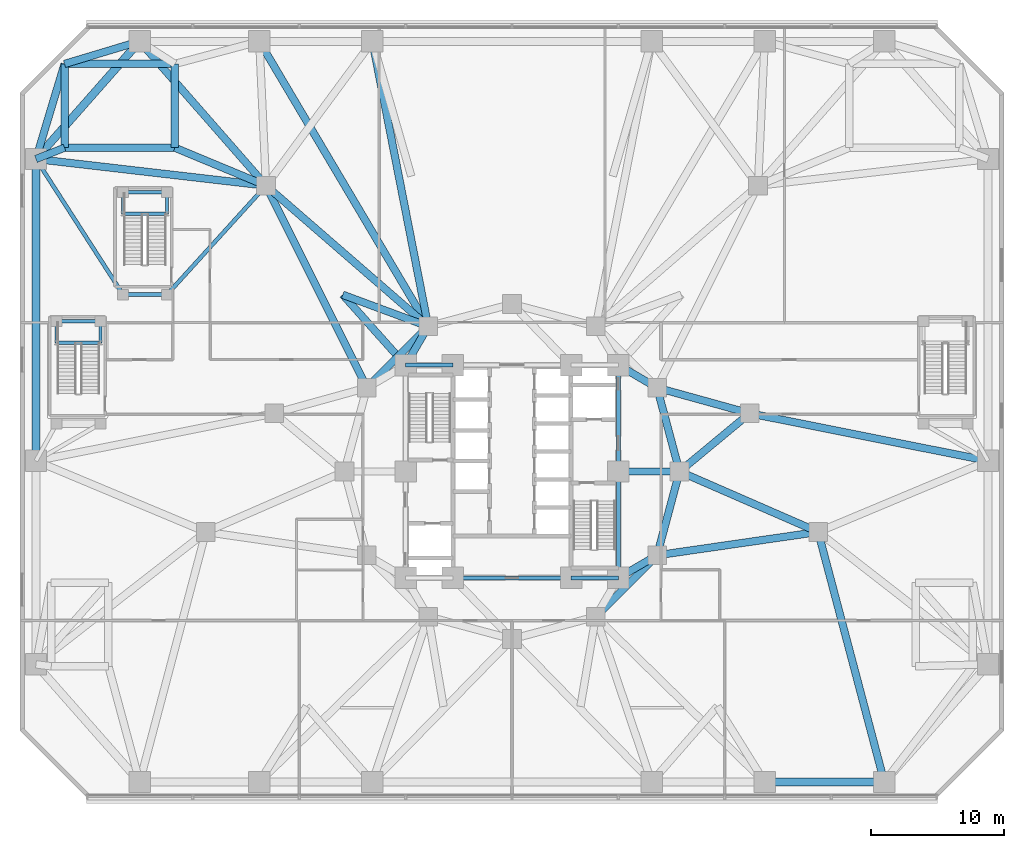
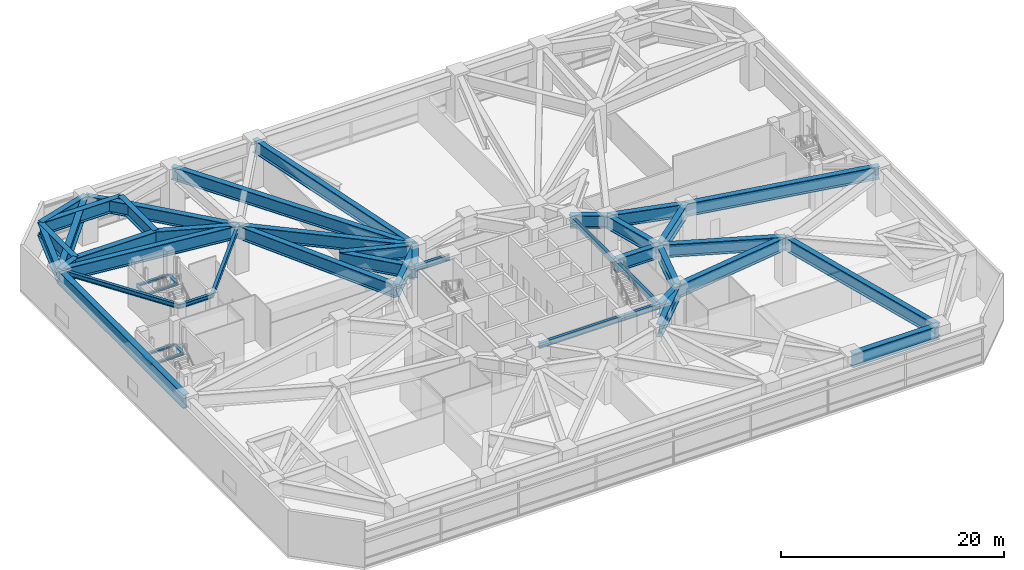
# One storey, part 8 of 27: 49 beams.
"""IFC4 building model written with IfcOpenShell, lengths in metres."""

from ifc_helpers import new_model, si_unit, direction, frame, origin, origin_2d, place, context, subcontext, project, spatial, i_section, extrude, material, material_profile, profile_set, type_object, element, save


model = new_model("IFC4")

# Units and contexts
model_context = context("Model", 3, precision=1e-05, world=origin(), true_north=direction((0.0, 1.0)))
body_context = subcontext(model_context, "Body", "Model", "MODEL_VIEW")
ifc_project = project(units=[si_unit("LENGTHUNIT", "METRE"), si_unit("AREAUNIT", "SQUARE_METRE"), si_unit("VOLUMEUNIT", "CUBIC_METRE"), si_unit("PLANEANGLEUNIT", "RADIAN"), si_unit("MASSUNIT", "GRAM", prefix="KILO")], contexts=[model_context])

# Site, building, storey
site_placement = place(None, origin())
site = spatial("IfcSite", under=ifc_project, at=site_placement, CompositionType="ELEMENT")
building_placement = place(site_placement, origin())
building = spatial("IfcBuilding", under=site, at=building_placement, Name="Terralouvre Media Tower", CompositionType="ELEMENT")
storey_placement = place(building_placement, frame((0.0, 0.0, 20.800048828125)))
storey = spatial("IfcBuildingStorey", under=building, at=storey_placement, Name="L04", CompositionType="ELEMENT", Elevation=20.800048828125)

# Beams
ifc_material_1 = material(Name="Structural steel S355J2", Category="steel")
ifc_material_profile_1 = material_profile(ifc_material_1, i_section(OverallWidth=0.239990234375, OverallDepth=0.239990234375, WebThickness=0.010009765625, FlangeThickness=0.01708984375, at=origin_2d()), Name="HEB 240")
ifc_profile_set_1 = profile_set([ifc_material_profile_1], Name="Structural steel S355J2")
beam_type_1 = type_object("IfcBeamType", Name="Opening Lintel Beam LN-240H (HEB 240)", PredefinedType="LINTEL", material=ifc_profile_set_1)
for number, where, z_axis, x_axis, name in (
    (1, (-34.25, 9.679931640625, 2.280029296875), (0.0, 1.0, 0.0), (-1.0, 0.0, 0.0), "L04 ST-03 Intermediate Landing Support Beam 1W"),
    (2, (-30.949951171875, 9.679931640625, 2.280029296875), (0.0, 1.0, 0.0), (-1.0, 0.0, 0.0), "L04 ST-03 Intermediate Landing Support Beam 1E"),
):
    element("IfcBeam", number, at=place(storey_placement, frame(where, z_axis=z_axis, x_axis=x_axis)), inside=storey, type_object=beam_type_1, Name=name, PredefinedType="LINTEL", context=body_context, shape_type="SweptSolid", body=[
        extrude(i_section(OverallWidth=0.239990234375, OverallDepth=0.239990234375, WebThickness=0.010009765625, FlangeThickness=0.01708984375, at=origin_2d()), origin(), (0.0, 0.0, 1.0), 1.6201171875),
    ])
for number, where, z_axis, x_axis, name in (
    (3, (-34.25, 9.679931640625, 2.280029296875), (1.0, 0.0, 0.0), (0.0, 1.0, 0.0), "L04 ST-03 Intermediate Landing Support Beam 1S"),
    (4, (-34.25, 11.300048828125, 2.280029296875), (1.0, 0.0, 0.0), (0.0, 1.0, 0.0), "L04 ST-03 Intermediate Landing Support Beam 1X"),
):
    element("IfcBeam", number, at=place(storey_placement, frame(where, z_axis=z_axis, x_axis=x_axis)), inside=storey, type_object=beam_type_1, Name=name, PredefinedType="LINTEL", context=body_context, shape_type="SweptSolid", body=[
        extrude(i_section(OverallWidth=0.239990234375, OverallDepth=0.239990234375, WebThickness=0.010009765625, FlangeThickness=0.01708984375, at=origin_2d()), origin(), (0.0, 0.0, 1.0), 3.300048828125),
    ])
for number, where, z_axis, x_axis, name in (
    (5, (-29.25, 19.3798828125, 2.280029296875), (0.0, 1.0, 0.0), (-1.0, 0.0, 0.0), "L04 ST-06 Intermediate Landing Support Beam 1W"),
    (6, (-25.949951171875, 19.3798828125, 2.280029296875), (0.0, 1.0, 0.0), (-1.0, 0.0, 0.0), "L04 ST-06 Intermediate Landing Support Beam 1E"),
):
    element("IfcBeam", number, at=place(storey_placement, frame(where, z_axis=z_axis, x_axis=x_axis)), inside=storey, type_object=beam_type_1, Name=name, PredefinedType="LINTEL", context=body_context, shape_type="SweptSolid", body=[
        extrude(i_section(OverallWidth=0.239990234375, OverallDepth=0.239990234375, WebThickness=0.010009765625, FlangeThickness=0.01708984375, at=origin_2d()), origin(), (0.0, 0.0, 1.0), 1.6201171875),
    ])
for number, where, z_axis, x_axis, name in (
    (7, (-29.25, 19.3798828125, 2.280029296875), (1.0, 0.0, 0.0), (0.0, 1.0, 0.0), "L04 ST-06 Intermediate Landing Support Beam 1S"),
    (8, (-29.25, 21.0, 2.280029296875), (1.0, 0.0, 0.0), (0.0, 1.0, 0.0), "L04 ST-06 Intermediate Landing Support Beam 1X"),
):
    element("IfcBeam", number, at=place(storey_placement, frame(where, z_axis=z_axis, x_axis=x_axis)), inside=storey, type_object=beam_type_1, Name=name, PredefinedType="LINTEL", context=body_context, shape_type="SweptSolid", body=[
        extrude(i_section(OverallWidth=0.239990234375, OverallDepth=0.239990234375, WebThickness=0.010009765625, FlangeThickness=0.01708984375, at=origin_2d()), origin(), (0.0, 0.0, 1.0), 3.300048828125),
    ])
ifc_material_2 = material(Name="Structural steel S355J2", Category="steel")
ifc_material_profile_2 = material_profile(ifc_material_2, i_section(OverallWidth=0.300048828125, OverallDepth=0.449951171875, WebThickness=0.013916015625, FlangeThickness=0.02587890625, at=origin_2d()), Name="HEB 450")
ifc_profile_set_2 = profile_set([ifc_material_profile_2], Name="Structural steel S355J2")
beam_type_2 = type_object("IfcBeamType", Name="Primary Floor Girder B-HEB450 (HEB 450)", PredefinedType="BEAM", material=ifc_profile_set_2)
beam_1_placement = place(storey_placement, frame((-29.25, 13.300048828125, 4.71484375), z_axis=(1.0, 0.0, 0.0), x_axis=(0.0, 1.0, 0.0)))
element("IfcBeam", 9, at=beam_1_placement, inside=storey, type_object=beam_type_2, Name="L04 Framing Beam BM-L04-PVST61", PredefinedType="BEAM", context=body_context, shape_type="SweptSolid", body=[
    extrude(i_section(OverallWidth=0.300048828125, OverallDepth=0.449951171875, WebThickness=0.013916015625, FlangeThickness=0.02587890625, at=origin_2d()), origin(), (0.0, 0.0, 1.0), 3.300048828125),
])
ifc_material_3 = material(Name="Structural steel S355J2", Category="steel")
ifc_material_profile_3 = material_profile(ifc_material_3, i_section(OverallWidth=0.300048828125, OverallDepth=0.5, WebThickness=0.014404296875, FlangeThickness=0.028076171875, at=origin_2d()), Name="HEB 500")
ifc_profile_set_3 = profile_set([ifc_material_profile_3], Name="Structural steel S355J2")
beam_type_3 = type_object("IfcBeamType", Name="Primary Floor Girder B-HEB500 (HEB 500)", PredefinedType="BEAM", material=ifc_profile_set_3)
beam_2_placement = place(storey_placement, frame((-29.25, 13.300048828125, 4.68994140625), z_axis=(-0.540345267359, 0.841443398003, 0.0), x_axis=(-0.841443398003, -0.540345267359, 0.0)))
element("IfcBeam", 10, at=beam_2_placement, inside=storey, type_object=beam_type_3, Name="L04 Framing Beam BM-L04-PVTST61", PredefinedType="BEAM", context=body_context, shape_type="SweptSolid", body=[
    extrude(i_section(OverallWidth=0.300048828125, OverallDepth=0.5, WebThickness=0.014404296875, FlangeThickness=0.028076171875, at=origin_2d()), origin(), (0.0, 0.0, 1.0), 12.1220703125),
])
beam_3_placement = place(storey_placement, frame((-25.949951171875, 13.300048828125, 4.68994140625), z_axis=(0.672447909493, 0.740144451454, 0.0), x_axis=(-0.740144451454, 0.672447909493, 0.0)))
element("IfcBeam", 11, at=beam_3_placement, inside=storey, type_object=beam_type_3, Name="L04 Framing Beam BM-L04-PVTST62", PredefinedType="BEAM", context=body_context, shape_type="SweptSolid", body=[
    extrude(i_section(OverallWidth=0.300048828125, OverallDepth=0.5, WebThickness=0.014404296875, FlangeThickness=0.028076171875, at=origin_2d()), origin(), (0.0, 0.0, 1.0), 11.078857421875),
])
ifc_material_4 = material(Name="Structural steel S460M", Category="steel")
ifc_material_profile_4 = material_profile(ifc_material_4, i_section(OverallWidth=0.300048828125, OverallDepth=0.60009765625, WebThickness=0.015380859375, FlangeThickness=0.030029296875, at=origin_2d()), Name="HEB 600")
ifc_profile_set_4 = profile_set([ifc_material_profile_4], Name="Structural steel S460M")
beam_type_4 = type_object("IfcBeamType", Name="Primary Floor Girder B-HEB600 (HEB 600)", PredefinedType="BEAM", material=ifc_profile_set_4)
beam_4_placement = place(storey_placement, frame((-4.449951171875, -8.0, 4.639892578125), z_axis=(1.0, 0.0, 0.0), x_axis=(0.0, 1.0, 0.0)))
element("IfcBeam", 12, at=beam_4_placement, inside=storey, type_object=beam_type_4, Name="L04 Framing Beam BM-L04-CPR02", PredefinedType="BEAM", context=body_context, shape_type="SweptSolid", body=[
    extrude(i_section(OverallWidth=0.300048828125, OverallDepth=0.60009765625, WebThickness=0.015380859375, FlangeThickness=0.030029296875, at=origin_2d()), origin(), (0.0, 0.0, 1.0), 8.89990234375),
])
beam_5_placement = place(storey_placement, frame((4.449951171875, -8.0, 4.639892578125), z_axis=(1.0, 0.0, 0.0), x_axis=(0.0, 1.0, 0.0)))
element("IfcBeam", 13, at=beam_5_placement, inside=storey, type_object=beam_type_4, Name="L04 Framing Beam BM-L04-CPR03", PredefinedType="BEAM", context=body_context, shape_type="SweptSolid", body=[
    extrude(i_section(OverallWidth=0.300048828125, OverallDepth=0.60009765625, WebThickness=0.015380859375, FlangeThickness=0.030029296875, at=origin_2d()), origin(), (0.0, 0.0, 1.0), 3.550048828125),
])
for number, where, z_axis, x_axis, name in (
    (14, (8.0, -8.0, 4.639892578125), (0.0, 1.0, 0.0), (-1.0, 0.0, 0.0), "L04 Framing Beam BM-L04-CPR04"),
    (15, (8.0, 0.0, 4.639892578125), (0.0, 1.0, 0.0), (-1.0, 0.0, 0.0), "L04 Framing Beam BM-L04-CPR05"),
):
    element("IfcBeam", number, at=place(storey_placement, frame(where, z_axis=z_axis, x_axis=x_axis)), inside=storey, type_object=beam_type_4, Name=name, PredefinedType="BEAM", context=body_context, shape_type="SweptSolid", body=[
        extrude(i_section(OverallWidth=0.300048828125, OverallDepth=0.60009765625, WebThickness=0.015380859375, FlangeThickness=0.030029296875, at=origin_2d()), origin(), (0.0, 0.0, 1.0), 8.0),
    ])
beam_6_placement = place(storey_placement, frame((-4.449951171875, 8.0, 4.639892578125), z_axis=(-1.0, 0.0, 0.0), x_axis=(0.0, -1.0, 0.0)))
element("IfcBeam", 16, at=beam_6_placement, inside=storey, type_object=beam_type_4, Name="L04 Framing Beam BM-L04-CPR08", PredefinedType="BEAM", context=body_context, shape_type="SweptSolid", body=[
    extrude(i_section(OverallWidth=0.300048828125, OverallDepth=0.60009765625, WebThickness=0.015380859375, FlangeThickness=0.030029296875, at=origin_2d()), origin(), (0.0, 0.0, 1.0), 3.550048828125),
])
ifc_material_5 = material(Name="Structural steel S460M", Category="steel")
ifc_material_profile_5 = material_profile(ifc_material_5, i_section(OverallWidth=0.56005859375, OverallDepth=1.39990234375, WebThickness=0.031982421875, FlangeThickness=0.050048828125, at=origin_2d()), Name="TG 1400x560")
ifc_profile_set_5 = profile_set([ifc_material_profile_5], Name="Structural steel S460M")
beam_type_5 = type_object("IfcBeamType", Name="Welded Transfer Girder TG-1400 (TG 1400x560)", PredefinedType="USERDEFINED", material=ifc_profile_set_5)
beam_7_placement = place(storey_placement, frame((6.300048828125, -10.911865234375, 4.239990234375), z_axis=(0.707106781187, 0.707106781187, 0.0), x_axis=(-0.707106781187, 0.707106781187, 0.0)))
element("IfcBeam", 17, at=beam_7_placement, inside=storey, type_object=beam_type_5, Name="L04 Framing Beam BM-L04-MR04", ObjectType="TRANSFER GIRDER", PredefinedType="USERDEFINED", context=body_context, shape_type="SweptSolid", body=[
    extrude(i_section(OverallWidth=0.56005859375, OverallDepth=1.39990234375, WebThickness=0.031982421875, FlangeThickness=0.050048828125, at=origin_2d()), origin(), (0.0, 0.0, 1.0), 6.52197265625),
])
for number, where, z_axis, x_axis, name in (
    (18, (10.911865234375, -6.300048828125, 4.239990234375), (0.258838989821, 0.965920481897, 0.0), (-0.965920481897, 0.258838989821, 0.0), "L04 Framing Beam BM-L04-MR05"),
    (19, (12.60009765625, 0.0, 4.239990234375), (-0.258838989821, 0.965920481897, 0.0), (-0.965920481897, -0.258838989821, 0.0), "L04 Framing Beam BM-L04-MR06"),
):
    element("IfcBeam", number, at=place(storey_placement, frame(where, z_axis=z_axis, x_axis=x_axis)), inside=storey, type_object=beam_type_5, Name=name, ObjectType="TRANSFER GIRDER", PredefinedType="USERDEFINED", context=body_context, shape_type="SweptSolid", body=[
        extrude(i_section(OverallWidth=0.56005859375, OverallDepth=1.39990234375, WebThickness=0.031982421875, FlangeThickness=0.050048828125, at=origin_2d()), origin(), (0.0, 0.0, 1.0), 6.522216796875),
    ])
beam_8_placement = place(storey_placement, frame((-6.300048828125, 10.911865234375, 4.239990234375), z_axis=(-0.707106781187, -0.707106781187, 0.0), x_axis=(0.707106781187, -0.707106781187, 0.0)))
element("IfcBeam", 20, at=beam_8_placement, inside=storey, type_object=beam_type_5, Name="L04 Framing Beam BM-L04-MR10", ObjectType="TRANSFER GIRDER", PredefinedType="USERDEFINED", context=body_context, shape_type="SweptSolid", body=[
    extrude(i_section(OverallWidth=0.56005859375, OverallDepth=1.39990234375, WebThickness=0.031982421875, FlangeThickness=0.050048828125, at=origin_2d()), origin(), (0.0, 0.0, 1.0), 6.52197265625),
])
beam_9_placement = place(storey_placement, frame((8.0, -8.0, 4.239990234375), z_axis=(0.863602894532, 0.504172629717, 0.0), x_axis=(-0.504172629717, 0.863602894532, 0.0)))
element("IfcBeam", 21, at=beam_9_placement, inside=storey, type_object=beam_type_5, Name="L04 Framing Beam BM-L04-CM05", ObjectType="TRANSFER GIRDER", PredefinedType="USERDEFINED", context=body_context, shape_type="SweptSolid", body=[
    extrude(i_section(OverallWidth=0.56005859375, OverallDepth=1.39990234375, WebThickness=0.031982421875, FlangeThickness=0.050048828125, at=origin_2d()), origin(), (0.0, 0.0, 1.0), 3.371826171875),
])
beam_10_placement = place(storey_placement, frame((8.0, 0.0, 4.239990234375), z_axis=(1.0, 0.0, 0.0), x_axis=(0.0, 1.0, 0.0)))
element("IfcBeam", 22, at=beam_10_placement, inside=storey, type_object=beam_type_5, Name="L04 Framing Beam BM-L04-CM06", ObjectType="TRANSFER GIRDER", PredefinedType="USERDEFINED", context=body_context, shape_type="SweptSolid", body=[
    extrude(i_section(OverallWidth=0.56005859375, OverallDepth=1.39990234375, WebThickness=0.031982421875, FlangeThickness=0.050048828125, at=origin_2d()), origin(), (0.0, 0.0, 1.0), 4.60009765625),
])
for number, where, z_axis, x_axis, name in (
    (23, (8.0, 8.0, 4.239990234375), (0.863602894532, -0.504172629717, 0.0), (0.504172629717, 0.863602894532, 0.0), "L04 Framing Beam BM-L04-CM07"),
    (24, (-8.0, 8.0, 4.239990234375), (0.504172629717, 0.863602894532, 0.0), (-0.863602894532, 0.504172629717, 0.0), "L04 Framing Beam BM-L04-CM10"),
):
    element("IfcBeam", number, at=place(storey_placement, frame(where, z_axis=z_axis, x_axis=x_axis)), inside=storey, type_object=beam_type_5, Name=name, ObjectType="TRANSFER GIRDER", PredefinedType="USERDEFINED", context=body_context, shape_type="SweptSolid", body=[
        extrude(i_section(OverallWidth=0.56005859375, OverallDepth=1.39990234375, WebThickness=0.031982421875, FlangeThickness=0.050048828125, at=origin_2d()), origin(), (0.0, 0.0, 1.0), 3.371826171875),
    ])
beam_11_placement = place(storey_placement, frame((-6.300048828125, 10.911865234375, 4.239990234375), z_axis=(-0.755234116228, 0.65545513171, 0.0), x_axis=(-0.65545513171, -0.755234116228, 0.0)))
element("IfcBeam", 25, at=beam_11_placement, inside=storey, type_object=beam_type_5, Name="L04 Framing Beam BM-L04-PM19M1", ObjectType="TRANSFER GIRDER", PredefinedType="USERDEFINED", context=body_context, shape_type="SweptSolid", body=[
    extrude(i_section(OverallWidth=0.56005859375, OverallDepth=1.39990234375, WebThickness=0.031982421875, FlangeThickness=0.050048828125, at=origin_2d()), origin(), (0.0, 0.0, 1.0), 16.15380859375),
])
beam_12_placement = place(storey_placement, frame((-10.911865234375, 6.300048828125, 4.239990234375), z_axis=(-0.446655925193, 0.894705808906, 0.0), x_axis=(-0.894705808906, -0.446655925193, 0.0)))
element("IfcBeam", 26, at=beam_12_placement, inside=storey, type_object=beam_type_5, Name="L04 Framing Beam BM-L04-PM19M2", ObjectType="TRANSFER GIRDER", PredefinedType="USERDEFINED", context=body_context, shape_type="SweptSolid", body=[
    extrude(i_section(OverallWidth=0.56005859375, OverallDepth=1.39990234375, WebThickness=0.031982421875, FlangeThickness=0.050048828125, at=origin_2d()), origin(), (0.0, 0.0, 1.0), 16.98876953125),
])
beam_13_placement = place(storey_placement, frame((12.60009765625, 0.0, 4.239990234375), z_axis=(0.916615903868, -0.399769039291, 0.0), x_axis=(0.399769039291, 0.916615903868, 0.0)))
element("IfcBeam", 27, at=beam_13_placement, inside=storey, type_object=beam_type_5, Name="L04 Framing Beam BM-L04-PM21M1", ObjectType="TRANSFER GIRDER", PredefinedType="USERDEFINED", context=body_context, shape_type="SweptSolid", body=[
    extrude(i_section(OverallWidth=0.56005859375, OverallDepth=1.39990234375, WebThickness=0.031982421875, FlangeThickness=0.050048828125, at=origin_2d()), origin(), (0.0, 0.0, 1.0), 11.373046875),
])
beam_14_placement = place(storey_placement, frame((10.911865234375, -6.300048828125, 4.239990234375), z_axis=(0.989684877742, 0.143261448996, 0.0), x_axis=(-0.143261448996, 0.989684877742, 0.0)))
element("IfcBeam", 28, at=beam_14_placement, inside=storey, type_object=beam_type_5, Name="L04 Framing Beam BM-L04-PM21M2", ObjectType="TRANSFER GIRDER", PredefinedType="USERDEFINED", context=body_context, shape_type="SweptSolid", body=[
    extrude(i_section(OverallWidth=0.56005859375, OverallDepth=1.39990234375, WebThickness=0.031982421875, FlangeThickness=0.050048828125, at=origin_2d()), origin(), (0.0, 0.0, 1.0), 12.2392578125),
])
beam_15_placement = place(storey_placement, frame((12.60009765625, 0.0, 4.239990234375), z_axis=(0.769816459478, 0.638265320001, 0.0), x_axis=(-0.638265320001, 0.769816459478, 0.0)))
element("IfcBeam", 29, at=beam_15_placement, inside=storey, type_object=beam_type_5, Name="L04 Framing Beam BM-L04-PM22M1", ObjectType="TRANSFER GIRDER", PredefinedType="USERDEFINED", context=body_context, shape_type="SweptSolid", body=[
    extrude(i_section(OverallWidth=0.56005859375, OverallDepth=1.39990234375, WebThickness=0.031982421875, FlangeThickness=0.050048828125, at=origin_2d()), origin(), (0.0, 0.0, 1.0), 6.851806640625),
])
beam_16_placement = place(storey_placement, frame((10.911865234375, 6.300048828125, 4.239990234375), z_axis=(0.963780816717, -0.266695589254, 0.0), x_axis=(0.266695589254, 0.963780816717, 0.0)))
element("IfcBeam", 30, at=beam_16_placement, inside=storey, type_object=beam_type_5, Name="L04 Framing Beam BM-L04-PM22M2", ObjectType="TRANSFER GIRDER", PredefinedType="USERDEFINED", context=body_context, shape_type="SweptSolid", body=[
    extrude(i_section(OverallWidth=0.56005859375, OverallDepth=1.39990234375, WebThickness=0.031982421875, FlangeThickness=0.050048828125, at=origin_2d()), origin(), (0.0, 0.0, 1.0), 7.224609375),
])
beam_17_placement = place(storey_placement, frame((23.02490234375, -4.546630859375, 4.239990234375), z_axis=(0.25578250381, -0.966734353762, 0.0), x_axis=(0.966734353762, 0.25578250381, 0.0)))
element("IfcBeam", 31, at=beam_17_placement, inside=storey, type_object=beam_type_5, Name="L04 Framing Beam BM-L04-RD07", ObjectType="TRANSFER GIRDER", PredefinedType="USERDEFINED", context=body_context, shape_type="SweptSolid", body=[
    extrude(i_section(OverallWidth=0.56005859375, OverallDepth=1.39990234375, WebThickness=0.031982421875, FlangeThickness=0.050048828125, at=origin_2d()), origin(), (0.0, 0.0, 1.0), 19.450439453125),
])
beam_18_placement = place(storey_placement, frame((17.874755859375, 4.373291015625, 4.239990234375), z_axis=(0.980704802412, -0.19549447697, 0.0), x_axis=(0.19549447697, 0.980704802412, 0.0)))
element("IfcBeam", 32, at=beam_18_placement, inside=storey, type_object=beam_type_5, Name="L04 Framing Beam BM-L04-RD09", ObjectType="TRANSFER GIRDER", PredefinedType="USERDEFINED", context=body_context, shape_type="SweptSolid", body=[
    extrude(i_section(OverallWidth=0.56005859375, OverallDepth=1.39990234375, WebThickness=0.031982421875, FlangeThickness=0.050048828125, at=origin_2d()), origin(), (0.0, 0.0, 1.0), 18.278076171875),
])
beam_19_placement = place(storey_placement, frame((-6.300048828125, 10.911865234375, 4.239990234375), z_axis=(-0.192254717948, 0.981345058288, 0.0), x_axis=(-0.981345058288, -0.192254717948, 0.0)))
element("IfcBeam", 33, at=beam_19_placement, inside=storey, type_object=beam_type_5, Name="L04 Framing Beam BM-L04-RD14", ObjectType="TRANSFER GIRDER", PredefinedType="USERDEFINED", context=body_context, shape_type="SweptSolid", body=[
    extrude(i_section(OverallWidth=0.56005859375, OverallDepth=1.39990234375, WebThickness=0.031982421875, FlangeThickness=0.050048828125, at=origin_2d()), origin(), (0.0, 0.0, 1.0), 21.845703125),
])
beam_20_placement = place(storey_placement, frame((-6.300048828125, 10.911865234375, 4.239990234375), z_axis=(-0.509678035934, 0.860365212969, 0.0), x_axis=(-0.860365212969, -0.509678035934, 0.0)))
element("IfcBeam", 34, at=beam_20_placement, inside=storey, type_object=beam_type_5, Name="L04 Framing Beam BM-L04-RD15", ObjectType="TRANSFER GIRDER", PredefinedType="USERDEFINED", context=body_context, shape_type="SweptSolid", body=[
    extrude(i_section(OverallWidth=0.56005859375, OverallDepth=1.39990234375, WebThickness=0.031982421875, FlangeThickness=0.050048828125, at=origin_2d()), origin(), (0.0, 0.0, 1.0), 24.91748046875),
])
beam_21_placement = place(storey_placement, frame((-18.5, 21.5, 4.239990234375), z_axis=(-0.658746675471, 0.752364816799, 0.0), x_axis=(-0.752364816799, -0.658746675471, 0.0)))
element("IfcBeam", 35, at=beam_21_placement, inside=storey, type_object=beam_type_5, Name="L04 Framing Beam BM-L04-RD16", ObjectType="TRANSFER GIRDER", PredefinedType="USERDEFINED", context=body_context, shape_type="SweptSolid", body=[
    extrude(i_section(OverallWidth=0.56005859375, OverallDepth=1.39990234375, WebThickness=0.031982421875, FlangeThickness=0.050048828125, at=origin_2d()), origin(), (0.0, 0.0, 1.0), 14.42138671875),
])
beam_22_placement = place(storey_placement, frame((-18.5, 21.5, 4.239990234375), z_axis=(-0.993383801046, 0.114841733791, 0.0), x_axis=(-0.114841733791, -0.993383801046, 0.0)))
element("IfcBeam", 36, at=beam_22_placement, inside=storey, type_object=beam_type_5, Name="L04 Framing Beam BM-L04-RD17", ObjectType="TRANSFER GIRDER", PredefinedType="USERDEFINED", context=body_context, shape_type="SweptSolid", body=[
    extrude(i_section(OverallWidth=0.56005859375, OverallDepth=1.39990234375, WebThickness=0.031982421875, FlangeThickness=0.050048828125, at=origin_2d()), origin(), (0.0, 0.0, 1.0), 17.415283203125),
])
beam_23_placement = place(storey_placement, frame((-12.724853515625, 13.29345703125, 4.239990234375), z_axis=(0.937652019179, -0.347575446386, 0.0), x_axis=(0.347575446386, 0.937652019179, 0.0)))
element("IfcBeam", 37, at=beam_23_placement, inside=storey, type_object=beam_type_5, Name="L04 Framing Beam BM-L04-TR08S1", ObjectType="TRANSFER GIRDER", PredefinedType="USERDEFINED", context=body_context, shape_type="SweptSolid", body=[
    extrude(i_section(OverallWidth=0.56005859375, OverallDepth=1.39990234375, WebThickness=0.031982421875, FlangeThickness=0.050048828125, at=origin_2d()), origin(), (0.0, 0.0, 1.0), 6.85205078125),
])
beam_24_placement = place(storey_placement, frame((-12.724853515625, 13.29345703125, 4.239990234375), z_axis=(0.665902255991, -0.746038997282, 0.0), x_axis=(0.746038997282, 0.665902255991, 0.0)))
element("IfcBeam", 38, at=beam_24_placement, inside=storey, type_object=beam_type_5, Name="L04 Framing Beam BM-L04-TR08S2", ObjectType="TRANSFER GIRDER", PredefinedType="USERDEFINED", context=body_context, shape_type="SweptSolid", body=[
    extrude(i_section(OverallWidth=0.56005859375, OverallDepth=1.39990234375, WebThickness=0.031982421875, FlangeThickness=0.050048828125, at=origin_2d()), origin(), (0.0, 0.0, 1.0), 7.095458984375),
])
beam_25_placement = place(storey_placement, frame((-33.64990234375, 24.35009765625, 4.239990234375), z_axis=(-0.929954842819, -0.367673755274, 0.0), x_axis=(0.367673755274, -0.929954842819, 0.0)))
element("IfcBeam", 39, at=beam_25_placement, inside=storey, type_object=beam_type_5, Name="L04 Framing Beam BM-L04-TR17S1", ObjectType="TRANSFER GIRDER", PredefinedType="USERDEFINED", context=body_context, shape_type="SweptSolid", body=[
    extrude(i_section(OverallWidth=0.56005859375, OverallDepth=1.39990234375, WebThickness=0.031982421875, FlangeThickness=0.050048828125, at=origin_2d()), origin(), (0.0, 0.0, 1.0), 2.31201171875),
])
beam_26_placement = place(storey_placement, frame((-25.35009765625, 24.35009765625, 4.239990234375), z_axis=(0.923273458917, -0.384143358735, 0.0), x_axis=(0.384143358735, 0.923273458917, 0.0)))
element("IfcBeam", 40, at=beam_26_placement, inside=storey, type_object=beam_type_5, Name="L04 Framing Beam BM-L04-TR18S1", ObjectType="TRANSFER GIRDER", PredefinedType="USERDEFINED", context=body_context, shape_type="SweptSolid", body=[
    extrude(i_section(OverallWidth=0.56005859375, OverallDepth=1.39990234375, WebThickness=0.031982421875, FlangeThickness=0.050048828125, at=origin_2d()), origin(), (0.0, 0.0, 1.0), 7.41943359375),
])
beam_27_placement = place(storey_placement, frame((-33.64990234375, 30.64990234375, 4.239990234375), z_axis=(0.957582224888, 0.288160168271, 0.0), x_axis=(-0.288160168271, 0.957582224888, 0.0)))
element("IfcBeam", 41, at=beam_27_placement, inside=storey, type_object=beam_type_5, Name="L04 Framing Beam BM-L04-TR20S1", ObjectType="TRANSFER GIRDER", PredefinedType="USERDEFINED", context=body_context, shape_type="SweptSolid", body=[
    extrude(i_section(OverallWidth=0.56005859375, OverallDepth=1.39990234375, WebThickness=0.031982421875, FlangeThickness=0.050048828125, at=origin_2d()), origin(), (0.0, 0.0, 1.0), 5.900146484375),
])
beam_28_placement = place(storey_placement, frame((-33.64990234375, 30.64990234375, 4.239990234375), z_axis=(-0.287983810984, -0.957635277447, 0.0), x_axis=(0.957635277447, -0.287983810984, 0.0)))
element("IfcBeam", 42, at=beam_28_placement, inside=storey, type_object=beam_type_5, Name="L04 Framing Beam BM-L04-TR20S2", ObjectType="TRANSFER GIRDER", PredefinedType="USERDEFINED", context=body_context, shape_type="SweptSolid", body=[
    extrude(i_section(OverallWidth=0.56005859375, OverallDepth=1.39990234375, WebThickness=0.031982421875, FlangeThickness=0.050048828125, at=origin_2d()), origin(), (0.0, 0.0, 1.0), 7.46630859375),
])
beam_29_placement = place(storey_placement, frame((-33.64990234375, 24.35009765625, 4.239990234375), z_axis=(1.0, 0.0, 0.0), x_axis=(0.0, 1.0, 0.0)))
element("IfcBeam", 43, at=beam_29_placement, inside=storey, type_object=beam_type_5, Name="L04 Framing Beam BM-L04-PVR09", ObjectType="TRANSFER GIRDER", PredefinedType="USERDEFINED", context=body_context, shape_type="SweptSolid", body=[
    extrude(i_section(OverallWidth=0.56005859375, OverallDepth=1.39990234375, WebThickness=0.031982421875, FlangeThickness=0.050048828125, at=origin_2d()), origin(), (0.0, 0.0, 1.0), 8.2998046875),
])
beam_30_placement = place(storey_placement, frame((-25.35009765625, 24.35009765625, 4.239990234375), z_axis=(0.0, 1.0, 0.0), x_axis=(-1.0, 0.0, 0.0)))
element("IfcBeam", 44, at=beam_30_placement, inside=storey, type_object=beam_type_5, Name="L04 Framing Beam BM-L04-PVR10", ObjectType="TRANSFER GIRDER", PredefinedType="USERDEFINED", context=body_context, shape_type="SweptSolid", body=[
    extrude(i_section(OverallWidth=0.56005859375, OverallDepth=1.39990234375, WebThickness=0.031982421875, FlangeThickness=0.050048828125, at=origin_2d()), origin(), (0.0, 0.0, 1.0), 6.2998046875),
])
beam_31_placement = place(storey_placement, frame((-25.35009765625, 30.64990234375, 4.239990234375), z_axis=(-1.0, 0.0, 0.0), x_axis=(0.0, -1.0, 0.0)))
element("IfcBeam", 45, at=beam_31_placement, inside=storey, type_object=beam_type_5, Name="L04 Framing Beam BM-L04-PVR11", ObjectType="TRANSFER GIRDER", PredefinedType="USERDEFINED", context=body_context, shape_type="SweptSolid", body=[
    extrude(i_section(OverallWidth=0.56005859375, OverallDepth=1.39990234375, WebThickness=0.031982421875, FlangeThickness=0.050048828125, at=origin_2d()), origin(), (0.0, 0.0, 1.0), 8.2998046875),
])
beam_32_placement = place(storey_placement, frame((-33.64990234375, 30.64990234375, 4.239990234375), z_axis=(0.0, -1.0, 0.0), x_axis=(1.0, 0.0, 0.0)))
element("IfcBeam", 46, at=beam_32_placement, inside=storey, type_object=beam_type_5, Name="L04 Framing Beam BM-L04-PVR12", ObjectType="TRANSFER GIRDER", PredefinedType="USERDEFINED", context=body_context, shape_type="SweptSolid", body=[
    extrude(i_section(OverallWidth=0.56005859375, OverallDepth=1.39990234375, WebThickness=0.031982421875, FlangeThickness=0.050048828125, at=origin_2d()), origin(), (0.0, 0.0, 1.0), 6.2998046875),
])
ifc_material_6 = material(Name="Structural steel S460M", Category="steel")
ifc_material_profile_6 = material_profile(ifc_material_6, i_section(OverallWidth=0.60009765625, OverallDepth=1.5, WebThickness=0.033935546875, FlangeThickness=0.054931640625, at=origin_2d()), Name="PG 1500x600")
ifc_profile_set_6 = profile_set([ifc_material_profile_6], Name="Structural steel S460M")
beam_type_6 = type_object("IfcBeamType", Name="Welded Transfer Girder TG-1500 (PG 1500x600)", PredefinedType="USERDEFINED", material=ifc_profile_set_6)
beam_33_placement = place(storey_placement, frame((19.0, -23.35009765625, 4.18994140625), z_axis=(1.0, 0.0, 0.0), x_axis=(0.0, 1.0, 0.0)))
element("IfcBeam", 47, at=beam_33_placement, inside=storey, type_object=beam_type_6, Name="L04 Framing Beam BM-L04-PR06", ObjectType="TRANSFER GIRDER", PredefinedType="USERDEFINED", context=body_context, shape_type="SweptSolid", body=[
    extrude(i_section(OverallWidth=0.60009765625, OverallDepth=1.5, WebThickness=0.033935546875, FlangeThickness=0.054931640625, at=origin_2d()), origin(), (0.0, 0.0, 1.0), 9.0),
])
beam_34_placement = place(storey_placement, frame((-28.0, 32.35009765625, 4.18994140625), z_axis=(-0.661199207896, -0.75021037548, 0.0), x_axis=(0.75021037548, -0.661199207896, 0.0)))
element("IfcBeam", 48, at=beam_34_placement, inside=storey, type_object=beam_type_6, Name="L04 Framing Beam BM-L04-PR16", ObjectType="TRANSFER GIRDER", PredefinedType="USERDEFINED", context=body_context, shape_type="SweptSolid", body=[
    extrude(i_section(OverallWidth=0.60009765625, OverallDepth=1.5, WebThickness=0.033935546875, FlangeThickness=0.054931640625, at=origin_2d()), origin(), (0.0, 0.0, 1.0), 11.796875),
])
beam_35_placement = place(storey_placement, frame((-35.800048828125, 23.5, 4.18994140625), z_axis=(0.0, -1.0, 0.0), x_axis=(1.0, 0.0, 0.0)))
element("IfcBeam", 49, at=beam_35_placement, inside=storey, type_object=beam_type_6, Name="L04 Framing Beam BM-L04-PR17", ObjectType="TRANSFER GIRDER", PredefinedType="USERDEFINED", context=body_context, shape_type="SweptSolid", body=[
    extrude(i_section(OverallWidth=0.60009765625, OverallDepth=1.5, WebThickness=0.033935546875, FlangeThickness=0.054931640625, at=origin_2d()), origin(), (0.0, 0.0, 1.0), 22.699951171875),
])

save(model, "model.ifc")
